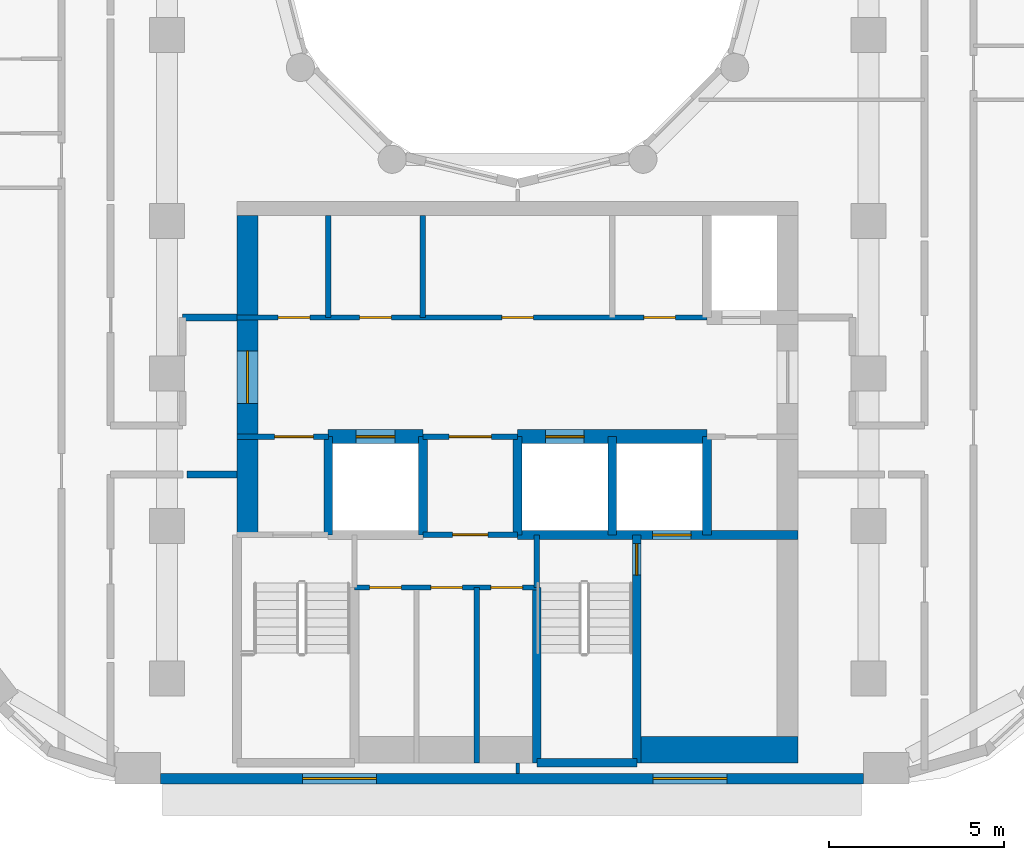
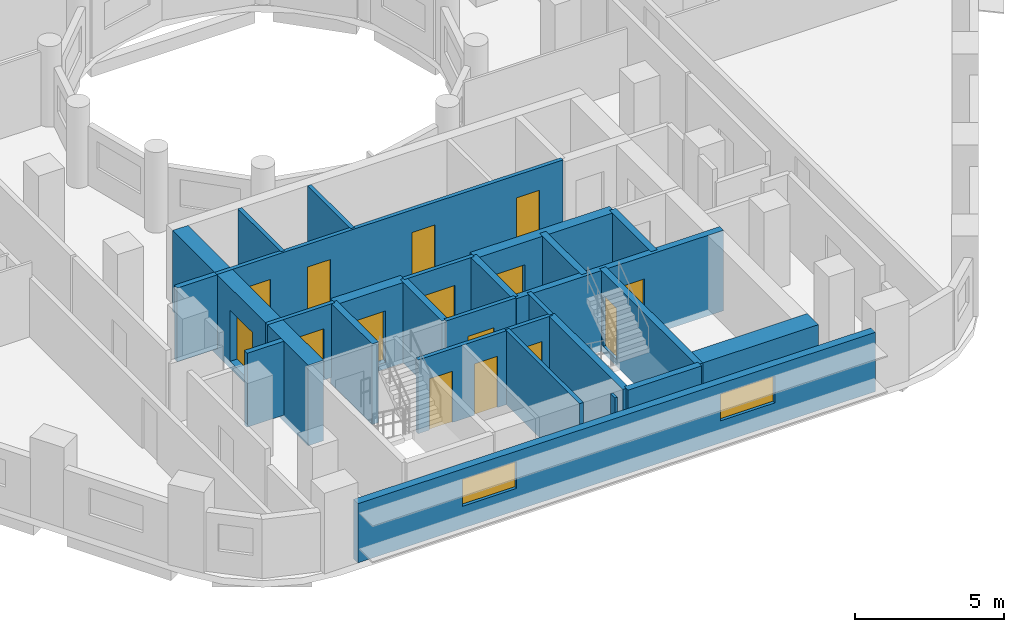
# One storey, part 3 of 13: 26 walls, 15 doors, 2 windows, 17 openings.
"""IFC4 building model written with IfcOpenShell, lengths in metres."""

from ifc_helpers import new_model, si_unit, direction, frame, frame_2d, origin, place, context, subcontext, project, spatial, rectangle, extrude, material, layer, layer_set, type_object, element, fill, save


model = new_model("IFC4")

# Units and contexts
model_context = context("Model", 3, precision=1e-05, world=origin(), true_north=direction((0.0, 1.0)))
body_context = subcontext(model_context, "Body", "Model", "MODEL_VIEW")
ifc_project = project(units=[si_unit("LENGTHUNIT", "METRE"), si_unit("AREAUNIT", "SQUARE_METRE"), si_unit("VOLUMEUNIT", "CUBIC_METRE"), si_unit("PLANEANGLEUNIT", "RADIAN"), si_unit("MASSUNIT", "GRAM", prefix="KILO")], contexts=[model_context])

# Site, building, storey
site_placement = place(None, origin())
site = spatial("IfcSite", under=ifc_project, at=site_placement, CompositionType="ELEMENT")
building_placement = place(site_placement, origin())
building = spatial("IfcBuilding", under=site, at=building_placement, Name="Nakaniwa Court", CompositionType="ELEMENT")
storey_placement = place(building_placement, frame((0.0, 0.0, 140.39990234375)))
storey = spatial("IfcBuildingStorey", under=building, at=storey_placement, Name="L36", CompositionType="ELEMENT", Elevation=140.39990234375)

# Walls
ifc_material_1 = material(Name="Acoustic double stud partition")
ifc_layer_1 = layer(ifc_material_1, 0.199951171875)
ifc_layer_set_1 = layer_set([ifc_layer_1], Name="Acoustic double stud partition")
wall_type_1 = type_object("IfcWallType", Name="Acoustic double stud partition 200", PredefinedType="PARTITIONING", material=ifc_layer_set_1)
wall_1_placement = place(storey_placement, frame((70.5771484375, 64.824951171875, 0.0), z_axis=(0.0, 0.0, 1.0), x_axis=(1.0, 0.0, 0.0)))
element("IfcWall", 1, at=wall_1_placement, inside=storey, type_object=wall_type_1, Name="Partition PW-080", PredefinedType="PARTITIONING", context=body_context, shape_type="SweptSolid", body=[
    extrude(rectangle(XDim=1.4228515625, YDim=0.199951171875, at=frame_2d((0.71142578125, 0.0))), origin(), (0.0, 0.0, 1.0), 3.025146484375),
])
wall_2_placement = place(storey_placement, frame((70.449951171875, 69.300048828125, 0.0), z_axis=(0.0, 0.0, 1.0), x_axis=(1.0, 0.0, 0.0)))
element("IfcWall", 2, at=wall_2_placement, inside=storey, type_object=wall_type_1, Name="Partition PW-084", PredefinedType="PARTITIONING", context=body_context, shape_type="SweptSolid", body=[
    extrude(rectangle(XDim=1.550048828125, YDim=0.199951171875, at=frame_2d((0.77490234375, 0.0))), origin(), (0.0, 0.0, 1.0), 3.025146484375),
])

# Wall, openings, windows
ifc_material_2 = material(Name="Charcoal ceramic cladding")
ifc_layer_2 = layer(ifc_material_2, 0.02, Name="Ceramic cladding")
ifc_material_3 = material(Name="Ventilated air cavity")
ifc_layer_3 = layer(ifc_material_3, 0.04, ventilated=True, Name="Ventilated cavity")
ifc_material_4 = material(Name="Mineral wool insulation")
ifc_layer_4 = layer(ifc_material_4, 0.1, Name="Insulation")
ifc_material_5 = material(Name="Cement bonded sheathing board")
ifc_layer_5 = layer(ifc_material_5, 0.012, Name="Sheathing")
ifc_material_6 = material(Name="Cold-formed galvanised stud frame with mineral wool infill")
ifc_layer_6 = layer(ifc_material_6, 0.1, Name="Stud frame")
ifc_material_7 = material(Name="Fire-rated gypsum plasterboard lining")
ifc_layer_7 = layer(ifc_material_7, 0.028, Name="Lining")
ifc_layer_set_2 = layer_set([ifc_layer_2, ifc_layer_3, ifc_layer_4, ifc_layer_5, ifc_layer_6, ifc_layer_7], Name="Charcoal ceramic faced external wall system")
wall_type_2 = type_object("IfcWallType", Name="Black ceramic faced external wall 300", PredefinedType="SOLIDWALL", material=ifc_layer_set_2)
wall_3_placement = place(storey_placement, frame((69.8212890625, 56.14990234375, 0.0), z_axis=(0.0, 0.0, 1.0), x_axis=(1.0, 0.0, 0.0)))
wall_3 = element("IfcWall", 3, at=wall_3_placement, inside=storey, type_object=wall_type_2, Name="L36 external wall 26", PredefinedType="SOLIDWALL", context=body_context, shape_type="SweptSolid", body=[
    extrude(rectangle(XDim=20.039794921875, YDim=0.300048828125, at=frame_2d((10.02001953125, 0.0))), origin(), (0.0, 0.0, 1.0), 2.425048828125),
])
opening_1_placement = place(wall_3_placement, frame((4.05126953125, 0.0, 0.89990234375)))
opening_1 = element("IfcOpeningElement", 4, at=opening_1_placement, cuts=wall_3, Name="Opening W7.27", PredefinedType="OPENING", context=body_context, shape_type="SweptSolid", body=[
    extrude(rectangle(XDim=2.10009765625, YDim=1.10009765625, at=frame_2d((1.050048828125, 0.550048828125))), frame((0.0, 0.159912109375, 0.0), z_axis=(0.0, -1.0, 0.0), x_axis=(1.0, 0.0, 0.0)), (0.0, 0.0, 1.0), 0.320068359375),
])
opening_2_placement = place(wall_3_placement, frame((14.047119140625, 0.0, 0.89990234375)))
opening_2 = element("IfcOpeningElement", 5, at=opening_2_placement, cuts=wall_3, Name="Opening W7.28", PredefinedType="OPENING", context=body_context, shape_type="SweptSolid", body=[
    extrude(rectangle(XDim=2.10009765625, YDim=1.10009765625, at=frame_2d((1.050048828125, 0.550048828125))), frame((0.0, 0.159912109375, 0.0), z_axis=(0.0, -1.0, 0.0), x_axis=(1.0, 0.0, 0.0)), (0.0, 0.0, 1.0), 0.320068359375),
])
ifc_material_8 = material(Name="Black anodised aluminium frame with dark low-E laminated double glazing", Category="aluminium")
window_type = type_object("IfcWindowType", Name="Dark glass window 2100x1100 sill 900", PartitioningType="SINGLE_PANEL", PredefinedType="WINDOW", material=ifc_material_8)
window_1_placement = place(opening_1_placement, origin())
window_1 = element("IfcWindow", 6, at=window_1_placement, inside=storey, type_object=window_type, Name="L36 habitable room window 26-0", OverallHeight=1.10009765625, OverallWidth=2.10009765625, PartitioningType="SINGLE_PANEL", PredefinedType="WINDOW", context=body_context, shape_type="SweptSolid", body=[
    extrude(rectangle(XDim=2.10009765625, YDim=1.10009765625, at=frame_2d((1.050048828125, 0.550048828125))), frame((0.0, 0.030029296875, 0.0), z_axis=(0.0, -1.0, 0.0), x_axis=(1.0, 0.0, 0.0)), (0.0, 0.0, 1.0), 0.06005859375),
])
fill(opening_1, window_1)
window_2_placement = place(opening_2_placement, origin())
window_2 = element("IfcWindow", 7, at=window_2_placement, inside=storey, type_object=window_type, Name="L36 habitable room window 26-1", OverallHeight=1.10009765625, OverallWidth=2.10009765625, PartitioningType="SINGLE_PANEL", PredefinedType="WINDOW", context=body_context, shape_type="SweptSolid", body=[
    extrude(rectangle(XDim=2.10009765625, YDim=1.10009765625, at=frame_2d((1.050048828125, 0.550048828125))), frame((0.0, 0.030029296875, 0.0), z_axis=(0.0, -1.0, 0.0), x_axis=(1.0, 0.0, 0.0)), (0.0, 0.0, 1.0), 0.06005859375),
])
fill(opening_2, window_2)

# Wall
ifc_material_9 = material(Name="Blockwork partition", Category="masonry")
ifc_layer_8 = layer(ifc_material_9, 0.14990234375)
ifc_layer_set_3 = layer_set([ifc_layer_8], Name="Blockwork partition")
wall_type_3 = type_object("IfcWallType", Name="Blockwork partition 150", PredefinedType="PARTITIONING", material=ifc_layer_set_3)
wall_4_placement = place(storey_placement, frame((74.60009765625, 69.300048828125, 0.0), z_axis=(0.0, 0.0, 1.0), x_axis=(0.0, 1.0, 0.0)))
element("IfcWall", 8, at=wall_4_placement, inside=storey, type_object=wall_type_3, Name="Partition PW-036", PredefinedType="PARTITIONING", context=body_context, shape_type="SweptSolid", body=[
    extrude(rectangle(XDim=2.89990234375, YDim=0.14990234375, at=frame_2d((1.449951171875, 0.0))), origin(), (0.0, 0.0, 1.0), 3.025146484375),
])

# Wall, openings, doors
wall_5_placement = place(storey_placement, frame((72.0, 69.300048828125, 0.0), z_axis=(0.0, 0.0, 1.0), x_axis=(1.0, 0.0, 0.0)))
wall_5 = element("IfcWall", 9, at=wall_5_placement, inside=storey, type_object=wall_type_3, Name="Partition PW-037", PredefinedType="PARTITIONING", context=body_context, shape_type="SweptSolid", body=[
    extrude(rectangle(XDim=13.39990234375, YDim=0.14990234375, at=frame_2d((6.699951171875, 0.0))), origin(), (0.0, 0.0, 1.0), 3.025146484375),
])
opening_3_placement = place(wall_5_placement, frame((1.175048828125, 0.0, 0.0)))
opening_3 = element("IfcOpeningElement", 10, at=opening_3_placement, cuts=wall_5, Name="Opening D-05-09", PredefinedType="OPENING", context=body_context, shape_type="SweptSolid", body=[
    extrude(rectangle(XDim=0.89990234375, YDim=2.10009765625, at=frame_2d((0.449951171875, 1.050048828125))), frame((0.0, 0.0849609375, 0.0), z_axis=(0.0, -1.0, 0.0), x_axis=(1.0, 0.0, 0.0)), (0.0, 0.0, 1.0), 0.169921875),
])
opening_4_placement = place(wall_5_placement, frame((3.5, 0.0, 0.0)))
opening_4 = element("IfcOpeningElement", 11, at=opening_4_placement, cuts=wall_5, Name="Opening D-05-10", PredefinedType="OPENING", context=body_context, shape_type="SweptSolid", body=[
    extrude(rectangle(XDim=0.89990234375, YDim=2.10009765625, at=frame_2d((0.449951171875, 1.050048828125))), frame((0.0, 0.0849609375, 0.0), z_axis=(0.0, -1.0, 0.0), x_axis=(1.0, 0.0, 0.0)), (0.0, 0.0, 1.0), 0.169921875),
])
opening_5_placement = place(wall_5_placement, frame((7.550048828125, 0.0, 0.0)))
opening_5 = element("IfcOpeningElement", 12, at=opening_5_placement, cuts=wall_5, Name="Opening D-05-11", PredefinedType="OPENING", context=body_context, shape_type="SweptSolid", body=[
    extrude(rectangle(XDim=0.89990234375, YDim=2.10009765625, at=frame_2d((0.449951171875, 1.050048828125))), frame((0.0, 0.0849609375, 0.0), z_axis=(0.0, -1.0, 0.0), x_axis=(1.0, 0.0, 0.0)), (0.0, 0.0, 1.0), 0.169921875),
])
opening_6_placement = place(wall_5_placement, frame((11.60009765625, 0.0, 0.0)))
opening_6 = element("IfcOpeningElement", 13, at=opening_6_placement, cuts=wall_5, Name="Opening D-05-12", PredefinedType="OPENING", context=body_context, shape_type="SweptSolid", body=[
    extrude(rectangle(XDim=0.89990234375, YDim=2.10009765625, at=frame_2d((0.449951171875, 1.050048828125))), frame((0.0, 0.0849609375, 0.0), z_axis=(0.0, -1.0, 0.0), x_axis=(1.0, 0.0, 0.0)), (0.0, 0.0, 1.0), 0.169921875),
])
ifc_material_10 = material(Name="Fire rated steel door set", Category="steel")
door_type_1 = type_object("IfcDoorType", Name="Service room door 900", OperationType="NOTDEFINED", PredefinedType="DOOR", material=ifc_material_10)
door_1_placement = place(opening_3_placement, origin())
door_1 = element("IfcDoor", 14, at=door_1_placement, inside=storey, type_object=door_type_1, Name="Door D-05-09 L36-014", OperationType="SINGLE_SWING_LEFT", OverallHeight=2.10009765625, OverallWidth=0.89990234375, PredefinedType="DOOR", context=body_context, shape_type="SweptSolid", body=[
    extrude(rectangle(XDim=0.89990234375, YDim=2.10009765625, at=frame_2d((0.449951171875, 1.050048828125))), frame((0.0, 0.02490234375, 0.0), z_axis=(0.0, -1.0, 0.0), x_axis=(1.0, 0.0, 0.0)), (0.0, 0.0, 1.0), 0.050048828125),
])
fill(opening_3, door_1)
door_2_placement = place(opening_4_placement, origin())
door_2 = element("IfcDoor", 15, at=door_2_placement, inside=storey, type_object=door_type_1, Name="Door D-05-10 L36-015", OperationType="SINGLE_SWING_RIGHT", OverallHeight=2.10009765625, OverallWidth=0.89990234375, PredefinedType="DOOR", context=body_context, shape_type="SweptSolid", body=[
    extrude(rectangle(XDim=0.89990234375, YDim=2.10009765625, at=frame_2d((0.449951171875, 1.050048828125))), frame((0.0, 0.02490234375, 0.0), z_axis=(0.0, -1.0, 0.0), x_axis=(1.0, 0.0, 0.0)), (0.0, 0.0, 1.0), 0.050048828125),
])
fill(opening_4, door_2)
door_3_placement = place(opening_5_placement, origin())
door_3 = element("IfcDoor", 16, at=door_3_placement, inside=storey, type_object=door_type_1, Name="Door D-05-11 L36-016", OperationType="SINGLE_SWING_LEFT", OverallHeight=2.10009765625, OverallWidth=0.89990234375, PredefinedType="DOOR", context=body_context, shape_type="SweptSolid", body=[
    extrude(rectangle(XDim=0.89990234375, YDim=2.10009765625, at=frame_2d((0.449951171875, 1.050048828125))), frame((0.0, 0.02490234375, 0.0), z_axis=(0.0, -1.0, 0.0), x_axis=(1.0, 0.0, 0.0)), (0.0, 0.0, 1.0), 0.050048828125),
])
fill(opening_5, door_3)
door_4_placement = place(opening_6_placement, origin())
door_4 = element("IfcDoor", 17, at=door_4_placement, inside=storey, type_object=door_type_1, Name="Door D-05-12 L36-017", OperationType="SINGLE_SWING_RIGHT", OverallHeight=2.10009765625, OverallWidth=0.89990234375, PredefinedType="DOOR", context=body_context, shape_type="SweptSolid", body=[
    extrude(rectangle(XDim=0.89990234375, YDim=2.10009765625, at=frame_2d((0.449951171875, 1.050048828125))), frame((0.0, 0.02490234375, 0.0), z_axis=(0.0, -1.0, 0.0), x_axis=(1.0, 0.0, 0.0)), (0.0, 0.0, 1.0), 0.050048828125),
])
fill(opening_6, door_4)

# Wall
wall_6_placement = place(storey_placement, frame((77.300048828125, 69.300048828125, 0.0), z_axis=(0.0, 0.0, 1.0), x_axis=(0.0, 1.0, 0.0)))
element("IfcWall", 18, at=wall_6_placement, inside=storey, type_object=wall_type_3, Name="Partition PW-043", PredefinedType="PARTITIONING", context=body_context, shape_type="SweptSolid", body=[
    extrude(rectangle(XDim=2.89990234375, YDim=0.14990234375, at=frame_2d((1.449951171875, 0.0))), origin(), (0.0, 0.0, 1.0), 3.025146484375),
])

# Wall, opening, door
wall_7_placement = place(storey_placement, frame((74.60302734375, 65.89990234375, 0.0), z_axis=(0.0, 0.0, 1.0), x_axis=(-1.0, 0.0, 0.0)))
wall_7 = element("IfcWall", 19, at=wall_7_placement, inside=storey, type_object=wall_type_3, Name="Partition PW-045", PredefinedType="PARTITIONING", context=body_context, shape_type="SweptSolid", body=[
    extrude(rectangle(XDim=2.60302734375, YDim=0.14990234375, at=frame_2d((1.301513671875, 0.0))), origin(), (0.0, 0.0, 1.0), 3.025146484375),
])
opening_7_placement = place(wall_7_placement, frame((0.427978515625, 0.0, 0.0)))
opening_7 = element("IfcOpeningElement", 20, at=opening_7_placement, cuts=wall_7, Name="Opening D-08-02", PredefinedType="OPENING", context=body_context, shape_type="SweptSolid", body=[
    extrude(rectangle(XDim=1.10009765625, YDim=2.10009765625, at=frame_2d((0.550048828125, 1.050048828125))), frame((0.0, 0.0849609375, 0.0), z_axis=(0.0, -1.0, 0.0), x_axis=(1.0, 0.0, 0.0)), (0.0, 0.0, 1.0), 0.169921875),
])
door_type_2 = type_object("IfcDoorType", Name="Stair lobby door 1100", OperationType="NOTDEFINED", PredefinedType="DOOR", material=ifc_material_10)
door_5_placement = place(opening_7_placement, origin())
door_5 = element("IfcDoor", 21, at=door_5_placement, inside=storey, type_object=door_type_2, Name="Door D-08-02 L36-018", OperationType="SINGLE_SWING_LEFT", OverallHeight=2.10009765625, OverallWidth=1.10009765625, PredefinedType="DOOR", context=body_context, shape_type="SweptSolid", body=[
    extrude(rectangle(XDim=1.10009765625, YDim=2.10009765625, at=frame_2d((0.550048828125, 1.050048828125))), frame((0.0, 0.02490234375, 0.0), z_axis=(0.0, -1.0, 0.0), x_axis=(1.0, 0.0, 0.0)), (0.0, 0.0, 1.0), 0.050048828125),
])
fill(opening_7, door_5)

wall_8_placement = place(storey_placement, frame((80.0029296875, 65.89990234375, 0.0), z_axis=(0.0, 0.0, 1.0), x_axis=(-1.0, 0.0, 0.0)))
wall_8 = element("IfcWall", 22, at=wall_8_placement, inside=storey, type_object=wall_type_3, Name="Partition PW-046", PredefinedType="PARTITIONING", context=body_context, shape_type="SweptSolid", body=[
    extrude(rectangle(XDim=2.705810546875, YDim=0.14990234375, at=frame_2d((1.35302734375, 0.0))), origin(), (0.0, 0.0, 1.0), 3.025146484375),
])
opening_8_placement = place(wall_8_placement, frame((0.7529296875, 0.0, 0.0)))
opening_8 = element("IfcOpeningElement", 23, at=opening_8_placement, cuts=wall_8, Name="Opening D-06-02", PredefinedType="OPENING", context=body_context, shape_type="SweptSolid", body=[
    extrude(rectangle(XDim=1.199951171875, YDim=2.10009765625, at=frame_2d((0.60009765625, 1.050048828125))), frame((0.0, 0.0849609375, 0.0), z_axis=(0.0, -1.0, 0.0), x_axis=(1.0, 0.0, 0.0)), (0.0, 0.0, 1.0), 0.169921875),
])
ifc_material_11 = material(Name="Fire rated steel double door set", Category="steel")
door_type_3 = type_object("IfcDoorType", Name="Service passage double door 1200", OperationType="NOTDEFINED", PredefinedType="DOOR", material=ifc_material_11)
door_6_placement = place(opening_8_placement, origin())
door_6 = element("IfcDoor", 24, at=door_6_placement, inside=storey, type_object=door_type_3, Name="Door D-06-02 L36-019", OperationType="DOUBLE_DOOR_SINGLE_SWING", OverallHeight=2.10009765625, OverallWidth=1.199951171875, PredefinedType="DOOR", context=body_context, shape_type="SweptSolid", body=[
    extrude(rectangle(XDim=1.199951171875, YDim=2.10009765625, at=frame_2d((0.60009765625, 1.050048828125))), frame((0.0, 0.02490234375, 0.0), z_axis=(0.0, -1.0, 0.0), x_axis=(1.0, 0.0, 0.0)), (0.0, 0.0, 1.0), 0.050048828125),
])
fill(opening_8, door_6)

wall_9_placement = place(storey_placement, frame((80.0, 63.10009765625, 0.0), z_axis=(0.0, 0.0, 1.0), x_axis=(-1.0, 0.0, 0.0)))
wall_9 = element("IfcWall", 25, at=wall_9_placement, inside=storey, type_object=wall_type_3, Name="Partition PW-056", PredefinedType="PARTITIONING", context=body_context, shape_type="SweptSolid", body=[
    extrude(rectangle(XDim=2.699951171875, YDim=0.14990234375, at=frame_2d((1.35009765625, 0.0))), origin(), (0.0, 0.0, 1.0), 3.025146484375),
])
opening_9_placement = place(wall_9_placement, frame((0.85009765625, 0.0, 0.0)))
opening_9 = element("IfcOpeningElement", 26, at=opening_9_placement, cuts=wall_9, Name="Opening D-23-02", PredefinedType="OPENING", context=body_context, shape_type="SweptSolid", body=[
    extrude(rectangle(XDim=1.0, YDim=2.10009765625, at=frame_2d((0.5, 1.050048828125))), frame((0.0, 0.0849609375, 0.0), z_axis=(0.0, -1.0, 0.0), x_axis=(1.0, 0.0, 0.0)), (0.0, 0.0, 1.0), 0.169921875),
])
door_type_4 = type_object("IfcDoorType", Name="Service room door 1000", OperationType="NOTDEFINED", PredefinedType="DOOR", material=ifc_material_10)
door_7_placement = place(opening_9_placement, origin())
door_7 = element("IfcDoor", 27, at=door_7_placement, inside=storey, type_object=door_type_4, Name="Door D-23-02 L36-021", OperationType="SINGLE_SWING_RIGHT", OverallHeight=2.10009765625, OverallWidth=1.0, PredefinedType="DOOR", context=body_context, shape_type="SweptSolid", body=[
    extrude(rectangle(XDim=1.0, YDim=2.10009765625, at=frame_2d((0.5, 1.050048828125))), frame((0.0, 0.02490234375, 0.0), z_axis=(0.0, -1.0, 0.0), x_axis=(1.0, 0.0, 0.0)), (0.0, 0.0, 1.0), 0.050048828125),
])
fill(opening_9, door_7)

# Wall, openings, doors
wall_10_placement = place(storey_placement, frame((80.550048828125, 61.60009765625, 0.0), z_axis=(0.0, 0.0, 1.0), x_axis=(-1.0, 0.0, 0.0)))
wall_10 = element("IfcWall", 28, at=wall_10_placement, inside=storey, type_object=wall_type_3, Name="Partition PW-068", PredefinedType="PARTITIONING", context=body_context, shape_type="SweptSolid", body=[
    extrude(rectangle(XDim=5.199951171875, YDim=0.14990234375, at=frame_2d((2.60009765625, 0.0))), origin(), (0.0, 0.0, 1.0), 3.025146484375),
])
opening_10_placement = place(wall_10_placement, frame((3.865966796875, 0.0, 0.0)))
opening_10 = element("IfcOpeningElement", 29, at=opening_10_placement, cuts=wall_10, Name="Opening D-05-14", PredefinedType="OPENING", context=body_context, shape_type="SweptSolid", body=[
    extrude(rectangle(XDim=0.89990234375, YDim=2.10009765625, at=frame_2d((0.449951171875, 1.050048828125))), frame((0.0, 0.0849609375, 0.0), z_axis=(0.0, -1.0, 0.0), x_axis=(1.0, 0.0, 0.0)), (0.0, 0.0, 1.0), 0.169921875),
])
opening_11_placement = place(wall_10_placement, frame((2.1240234375, 0.0, 0.0)))
opening_11 = element("IfcOpeningElement", 30, at=opening_11_placement, cuts=wall_10, Name="Opening D-05-15", PredefinedType="OPENING", context=body_context, shape_type="SweptSolid", body=[
    extrude(rectangle(XDim=0.89990234375, YDim=2.10009765625, at=frame_2d((0.449951171875, 1.050048828125))), frame((0.0, 0.0849609375, 0.0), z_axis=(0.0, -1.0, 0.0), x_axis=(1.0, 0.0, 0.0)), (0.0, 0.0, 1.0), 0.169921875),
])
opening_12_placement = place(wall_10_placement, frame((0.407958984375, 0.0, 0.0)))
opening_12 = element("IfcOpeningElement", 31, at=opening_12_placement, cuts=wall_10, Name="Opening D-05-16", PredefinedType="OPENING", context=body_context, shape_type="SweptSolid", body=[
    extrude(rectangle(XDim=0.89990234375, YDim=2.10009765625, at=frame_2d((0.449951171875, 1.050048828125))), frame((0.0, 0.0849609375, 0.0), z_axis=(0.0, -1.0, 0.0), x_axis=(1.0, 0.0, 0.0)), (0.0, 0.0, 1.0), 0.169921875),
])
door_8_placement = place(opening_10_placement, origin())
door_8 = element("IfcDoor", 32, at=door_8_placement, inside=storey, type_object=door_type_1, Name="Door D-05-14 L36-022", OperationType="SINGLE_SWING_LEFT", OverallHeight=2.10009765625, OverallWidth=0.89990234375, PredefinedType="DOOR", context=body_context, shape_type="SweptSolid", body=[
    extrude(rectangle(XDim=0.89990234375, YDim=2.10009765625, at=frame_2d((0.449951171875, 1.050048828125))), frame((0.0, 0.02490234375, 0.0), z_axis=(0.0, -1.0, 0.0), x_axis=(1.0, 0.0, 0.0)), (0.0, 0.0, 1.0), 0.050048828125),
])
fill(opening_10, door_8)
door_9_placement = place(opening_11_placement, origin())
door_9 = element("IfcDoor", 33, at=door_9_placement, inside=storey, type_object=door_type_1, Name="Door D-05-15 L36-023", OperationType="SINGLE_SWING_RIGHT", OverallHeight=2.10009765625, OverallWidth=0.89990234375, PredefinedType="DOOR", context=body_context, shape_type="SweptSolid", body=[
    extrude(rectangle(XDim=0.89990234375, YDim=2.10009765625, at=frame_2d((0.449951171875, 1.050048828125))), frame((0.0, 0.02490234375, 0.0), z_axis=(0.0, -1.0, 0.0), x_axis=(1.0, 0.0, 0.0)), (0.0, 0.0, 1.0), 0.050048828125),
])
fill(opening_11, door_9)
door_10_placement = place(opening_12_placement, origin())
door_10 = element("IfcDoor", 34, at=door_10_placement, inside=storey, type_object=door_type_1, Name="Door D-05-16 L36-024", OperationType="SINGLE_SWING_LEFT", OverallHeight=2.10009765625, OverallWidth=0.89990234375, PredefinedType="DOOR", context=body_context, shape_type="SweptSolid", body=[
    extrude(rectangle(XDim=0.89990234375, YDim=2.10009765625, at=frame_2d((0.449951171875, 1.050048828125))), frame((0.0, 0.02490234375, 0.0), z_axis=(0.0, -1.0, 0.0), x_axis=(1.0, 0.0, 0.0)), (0.0, 0.0, 1.0), 0.050048828125),
])
fill(opening_12, door_10)

# Wall
wall_11_placement = place(storey_placement, frame((78.833984375, 56.60009765625, 0.0), z_axis=(0.0, 0.0, 1.0), x_axis=(0.0, 1.0, 0.0)))
element("IfcWall", 35, at=wall_11_placement, inside=storey, type_object=wall_type_3, Name="Partition PW-070", PredefinedType="PARTITIONING", context=body_context, shape_type="SweptSolid", body=[
    extrude(rectangle(XDim=5.0, YDim=0.14990234375, at=frame_2d((2.5, 0.0))), origin(), (0.0, 0.0, 1.0), 3.025146484375),
])

# Wall, opening, door
ifc_material_12 = material(Name="Concrete C80/100", Category="concrete")
ifc_layer_9 = layer(ifc_material_12, 0.60009765625)
ifc_layer_set_4 = layer_set([ifc_layer_9], Name="Concrete C80/100")
wall_type_4 = type_object("IfcWallType", Name="Concrete core side wall 600 C80", PredefinedType="SHEAR", material=ifc_layer_set_4)
wall_12_placement = place(storey_placement, frame((72.300048828125, 63.10009765625, -0.27490234375), z_axis=(0.0, 0.0, 1.0), x_axis=(0.0, 1.0, 0.0)))
wall_12 = element("IfcWall", 36, at=wall_12_placement, inside=storey, type_object=wall_type_4, Name="Core wall SW-38", PredefinedType="SHEAR", context=body_context, shape_type="SweptSolid", body=[
    extrude(rectangle(XDim=9.099853515625, YDim=0.60009765625, at=frame_2d((4.5498046875, 0.0))), origin(), (0.0, 0.0, 1.0), 3.300048828125),
])
opening_13_placement = place(wall_12_placement, frame((3.748046875, 0.0, 0.27490234375)))
opening_13 = element("IfcOpeningElement", 37, at=opening_13_placement, cuts=wall_12, Name="Opening D-07-04", PredefinedType="OPENING", context=body_context, shape_type="SweptSolid", body=[
    extrude(rectangle(XDim=1.5, YDim=2.10009765625, at=frame_2d((0.75, 1.050048828125))), frame((0.0, 0.31005859375, 0.0), z_axis=(0.0, -1.0, 0.0), x_axis=(1.0, 0.0, 0.0)), (0.0, 0.0, 1.0), 0.6201171875),
])
ifc_material_13 = material(Name="Glazed fire rated steel double door set", Category="steel")
door_type_5 = type_object("IfcDoorType", Name="Lobby double door 1500", OperationType="NOTDEFINED", PredefinedType="DOOR", material=ifc_material_13)
door_11_placement = place(opening_13_placement, origin())
door_11 = element("IfcDoor", 38, at=door_11_placement, inside=storey, type_object=door_type_5, Name="Door D-07-04 L36-057", OperationType="DOUBLE_DOOR_SINGLE_SWING", OverallHeight=2.10009765625, OverallWidth=1.5, PredefinedType="DOOR", context=body_context, shape_type="SweptSolid", body=[
    extrude(rectangle(XDim=1.5, YDim=2.10009765625, at=frame_2d((0.75, 1.050048828125))), frame((0.0, 0.02490234375, 0.0), z_axis=(0.0, -1.0, 0.0), x_axis=(1.0, 0.0, 0.0)), (0.0, 0.0, 1.0), 0.050048828125),
])
fill(opening_13, door_11)

ifc_layer_10 = layer(ifc_material_12, 0.39990234375)
ifc_layer_set_5 = layer_set([ifc_layer_10], Name="Concrete C80/100")
wall_type_5 = type_object("IfcWallType", Name="Concrete core spine wall 400 C80", PredefinedType="SHEAR", material=ifc_layer_set_5)
wall_13_placement = place(storey_placement, frame((74.596923828125, 65.89990234375, -0.27490234375), z_axis=(0.0, 0.0, 1.0), x_axis=(1.0, 0.0, 0.0)))
wall_13 = element("IfcWall", 39, at=wall_13_placement, inside=storey, type_object=wall_type_5, Name="Core wall SW-48", PredefinedType="SHEAR", context=body_context, shape_type="SweptSolid", body=[
    extrude(rectangle(XDim=2.7060546875, YDim=0.39990234375, at=frame_2d((1.35302734375, 0.0))), origin(), (0.0, 0.0, 1.0), 3.300048828125),
])
opening_14_placement = place(wall_13_placement, frame((0.802978515625, 0.0, 0.27490234375)))
opening_14 = element("IfcOpeningElement", 40, at=opening_14_placement, cuts=wall_13, Name="Opening LD06", PredefinedType="OPENING", context=body_context, shape_type="SweptSolid", body=[
    extrude(rectangle(XDim=1.10009765625, YDim=2.10009765625, at=frame_2d((0.550048828125, 1.050048828125))), frame((0.0, 0.2099609375, 0.0), z_axis=(0.0, -1.0, 0.0), x_axis=(1.0, 0.0, 0.0)), (0.0, 0.0, 1.0), 0.419921875),
])
ifc_material_14 = material(Name="Stainless steel sliding lift landing door", Category="steel")
door_type_6 = type_object("IfcDoorType", Name="Lift landing door 1100", OperationType="NOTDEFINED", PredefinedType="DOOR", material=ifc_material_14)
door_12_placement = place(opening_14_placement, origin())
door_12 = element("IfcDoor", 41, at=door_12_placement, inside=storey, type_object=door_type_6, Name="Lift landing door LD06 L36-006", OperationType="SLIDING_TO_LEFT", OverallHeight=2.10009765625, OverallWidth=1.10009765625, PredefinedType="DOOR", context=body_context, shape_type="SweptSolid", body=[
    extrude(rectangle(XDim=1.10009765625, YDim=2.10009765625, at=frame_2d((0.550048828125, 1.050048828125))), frame((0.0, 0.02490234375, 0.0), z_axis=(0.0, -1.0, 0.0), x_axis=(1.0, 0.0, 0.0)), (0.0, 0.0, 1.0), 0.050048828125),
])
fill(opening_14, door_12)

wall_14_placement = place(storey_placement, frame((79.9970703125, 65.89990234375, -0.27490234375), z_axis=(0.0, 0.0, 1.0), x_axis=(1.0, 0.0, 0.0)))
wall_14 = element("IfcWall", 42, at=wall_14_placement, inside=storey, type_object=wall_type_5, Name="Core wall SW-49", PredefinedType="SHEAR", context=body_context, shape_type="SweptSolid", body=[
    extrude(rectangle(XDim=5.406005859375, YDim=0.39990234375, at=frame_2d((2.703125, 0.0))), origin(), (0.0, 0.0, 1.0), 3.300048828125),
])
opening_15_placement = place(wall_14_placement, frame((0.802978515625, 0.0, 0.27490234375)))
opening_15 = element("IfcOpeningElement", 43, at=opening_15_placement, cuts=wall_14, Name="Opening LD07", PredefinedType="OPENING", context=body_context, shape_type="SweptSolid", body=[
    extrude(rectangle(XDim=1.10009765625, YDim=2.10009765625, at=frame_2d((0.550048828125, 1.050048828125))), frame((0.0, 0.2099609375, 0.0), z_axis=(0.0, -1.0, 0.0), x_axis=(1.0, 0.0, 0.0)), (0.0, 0.0, 1.0), 0.419921875),
])
door_13_placement = place(opening_15_placement, origin())
door_13 = element("IfcDoor", 44, at=door_13_placement, inside=storey, type_object=door_type_6, Name="Lift landing door LD07 L36-007", OperationType="SLIDING_TO_LEFT", OverallHeight=2.10009765625, OverallWidth=1.10009765625, PredefinedType="DOOR", context=body_context, shape_type="SweptSolid", body=[
    extrude(rectangle(XDim=1.10009765625, YDim=2.10009765625, at=frame_2d((0.550048828125, 1.050048828125))), frame((0.0, 0.02490234375, 0.0), z_axis=(0.0, -1.0, 0.0), x_axis=(1.0, 0.0, 0.0)), (0.0, 0.0, 1.0), 0.050048828125),
])
fill(opening_15, door_13)

# Walls
ifc_layer_11 = layer(ifc_material_12, 0.14990234375)
ifc_layer_set_6 = layer_set([ifc_layer_11], Name="Concrete C80/100")
wall_type_6 = type_object("IfcWallType", Name="Concrete core wall 150 C80", PredefinedType="SHEAR", material=ifc_layer_set_6)
wall_15_placement = place(storey_placement, frame((80.550048828125, 61.596923828125, -0.27490234375), z_axis=(0.0, 0.0, 1.0), x_axis=(0.0, 1.0, 0.0)))
element("IfcWall", 45, at=wall_15_placement, inside=storey, type_object=wall_type_6, Name="Core wall SW-64", PredefinedType="SHEAR", context=body_context, shape_type="SweptSolid", body=[
    extrude(rectangle(XDim=1.503173828125, YDim=0.14990234375, at=frame_2d((0.75146484375, 0.0))), origin(), (0.0, 0.0, 1.0), 3.300048828125),
])
ifc_layer_12 = layer(ifc_material_12, 0.25)
ifc_layer_set_7 = layer_set([ifc_layer_12], Name="Concrete C80/100")
wall_type_7 = type_object("IfcWallType", Name="Concrete core wall 250 C80", PredefinedType="SHEAR", material=ifc_layer_set_7)
wall_16_placement = place(storey_placement, frame((80.550048828125, 56.60009765625, -0.27490234375), z_axis=(0.0, 0.0, 1.0), x_axis=(1.0, 0.0, 0.0)))
element("IfcWall", 46, at=wall_16_placement, inside=storey, type_object=wall_type_7, Name="Core wall SW-62", PredefinedType="SHEAR", context=body_context, shape_type="SweptSolid", body=[
    extrude(rectangle(XDim=2.849853515625, YDim=0.25, at=frame_2d((1.4248046875, 0.0))), origin(), (0.0, 0.0, 1.0), 3.300048828125),
])
ifc_layer_13 = layer(ifc_material_12, 0.75)
ifc_layer_set_8 = layer_set([ifc_layer_13], Name="Concrete C80/100")
wall_type_8 = type_object("IfcWallType", Name="Concrete core wall 750 C80", PredefinedType="SHEAR", material=ifc_layer_set_8)
wall_17_placement = place(storey_placement, frame((83.39990234375, 56.97509765625, -0.27490234375), z_axis=(0.0, 0.0, 1.0), x_axis=(1.0, 0.0, 0.0)))
element("IfcWall", 47, at=wall_17_placement, inside=storey, type_object=wall_type_8, Name="Core wall SW-67", PredefinedType="SHEAR", context=body_context, shape_type="SweptSolid", body=[
    extrude(rectangle(XDim=4.60009765625, YDim=0.75, at=frame_2d((2.300048828125, 0.0))), origin(), (0.0, 0.0, 1.0), 3.300048828125),
])
ifc_layer_14 = layer(ifc_material_12, 0.25)
ifc_layer_set_9 = layer_set([ifc_layer_14], Name="Concrete C80/100")
wall_type_9 = type_object("IfcWallType", Name="Concrete shaft wall 250 C80", PredefinedType="SHEAR", material=ifc_layer_set_9)
for number, where, z_axis, x_axis, name in (
    (48, (85.39990234375, 63.10009765625, -0.27490234375), (0.0, 0.0, 1.0), (0.0, 1.0, 0.0), "Core wall SW-39"),
    (49, (74.60009765625, 63.10009765625, -0.27490234375), (0.0, 0.0, 1.0), (0.0, 1.0, 0.0), "Core wall SW-50"),
    (50, (77.300048828125, 63.10009765625, -0.27490234375), (0.0, 0.0, 1.0), (0.0, 1.0, 0.0), "Core wall SW-52"),
):
    element("IfcWall", number, at=place(storey_placement, frame(where, z_axis=z_axis, x_axis=x_axis)), inside=storey, type_object=wall_type_9, Name=name, PredefinedType="SHEAR", context=body_context, shape_type="SweptSolid", body=[
        extrude(rectangle(XDim=2.7998046875, YDim=0.25, at=frame_2d((1.39990234375, 0.0))), origin(), (0.0, 0.0, 1.0), 3.300048828125),
    ])

# Wall, opening, door
wall_18_placement = place(storey_placement, frame((80.0, 63.10009765625, -0.27490234375), z_axis=(0.0, 0.0, 1.0), x_axis=(1.0, 0.0, 0.0)))
wall_18 = element("IfcWall", 51, at=wall_18_placement, inside=storey, type_object=wall_type_9, Name="Core wall SW-54", PredefinedType="SHEAR", context=body_context, shape_type="SweptSolid", body=[
    extrude(rectangle(XDim=8.0, YDim=0.25, at=frame_2d((4.0, 0.0))), origin(), (0.0, 0.0, 1.0), 3.300048828125),
])
opening_16_placement = place(wall_18_placement, frame((3.84912109375, 0.0, 0.27490234375)))
opening_16 = element("IfcOpeningElement", 52, at=opening_16_placement, cuts=wall_18, Name="Opening LD08", PredefinedType="OPENING", context=body_context, shape_type="SweptSolid", body=[
    extrude(rectangle(XDim=1.10009765625, YDim=2.10009765625, at=frame_2d((0.550048828125, 1.050048828125))), frame((0.0, 0.135009765625, 0.0), z_axis=(0.0, -1.0, 0.0), x_axis=(1.0, 0.0, 0.0)), (0.0, 0.0, 1.0), 0.27001953125),
])
door_14_placement = place(opening_16_placement, origin())
door_14 = element("IfcDoor", 53, at=door_14_placement, inside=storey, type_object=door_type_6, Name="Lift landing door LD08 L36-008", OperationType="SLIDING_TO_LEFT", OverallHeight=2.10009765625, OverallWidth=1.10009765625, PredefinedType="DOOR", context=body_context, shape_type="SweptSolid", body=[
    extrude(rectangle(XDim=1.10009765625, YDim=2.10009765625, at=frame_2d((0.550048828125, 1.050048828125))), frame((0.0, 0.02490234375, 0.0), z_axis=(0.0, -1.0, 0.0), x_axis=(1.0, 0.0, 0.0)), (0.0, 0.0, 1.0), 0.050048828125),
])
fill(opening_16, door_14)

# Walls
for number, where, z_axis, x_axis, name in (
    (54, (80.0, 63.10009765625, -0.27490234375), (0.0, 0.0, 1.0), (0.0, 1.0, 0.0), "Core wall SW-55"),
    (55, (82.699951171875, 63.10009765625, -0.27490234375), (0.0, 0.0, 1.0), (0.0, 1.0, 0.0), "Core wall SW-57"),
):
    element("IfcWall", number, at=place(storey_placement, frame(where, z_axis=z_axis, x_axis=x_axis)), inside=storey, type_object=wall_type_9, Name=name, PredefinedType="SHEAR", context=body_context, shape_type="SweptSolid", body=[
        extrude(rectangle(XDim=2.7998046875, YDim=0.25, at=frame_2d((1.39990234375, 0.0))), origin(), (0.0, 0.0, 1.0), 3.300048828125),
    ])

# Wall, opening, door
wall_19_placement = place(storey_placement, frame((83.39990234375, 63.10009765625, -0.27490234375), z_axis=(0.0, 0.0, 1.0), x_axis=(0.0, -1.0, 0.0)))
wall_19 = element("IfcWall", 56, at=wall_19_placement, inside=storey, type_object=wall_type_9, Name="Core wall SW-63", PredefinedType="SHEAR", context=body_context, shape_type="SweptSolid", body=[
    extrude(rectangle(XDim=6.5, YDim=0.25, at=frame_2d((3.25, 0.0))), origin(), (0.0, 0.0, 1.0), 3.300048828125),
])
opening_17_placement = place(wall_19_placement, frame((0.25, 0.0, 0.27490234375)))
opening_17 = element("IfcOpeningElement", 57, at=opening_17_placement, cuts=wall_19, Name="Opening D-11-02", PredefinedType="OPENING", context=body_context, shape_type="SweptSolid", body=[
    extrude(rectangle(XDim=0.89990234375, YDim=2.10009765625, at=frame_2d((0.449951171875, 1.050048828125))), frame((0.0, 0.135009765625, 0.0), z_axis=(0.0, -1.0, 0.0), x_axis=(1.0, 0.0, 0.0)), (0.0, 0.0, 1.0), 0.27001953125),
])
door_type_7 = type_object("IfcDoorType", Name="Stair door 900", OperationType="NOTDEFINED", PredefinedType="DOOR", material=ifc_material_10)
door_15_placement = place(opening_17_placement, origin())
door_15 = element("IfcDoor", 58, at=door_15_placement, inside=storey, type_object=door_type_7, Name="Door D-11-02 L36-026", OperationType="SINGLE_SWING_RIGHT", OverallHeight=2.10009765625, OverallWidth=0.89990234375, PredefinedType="DOOR", context=body_context, shape_type="SweptSolid", body=[
    extrude(rectangle(XDim=0.89990234375, YDim=2.10009765625, at=frame_2d((0.449951171875, 1.050048828125))), frame((0.0, 0.02490234375, 0.0), z_axis=(0.0, -1.0, 0.0), x_axis=(1.0, 0.0, 0.0)), (0.0, 0.0, 1.0), 0.050048828125),
])
fill(opening_17, door_15)

# Walls
wall_20_placement = place(storey_placement, frame((80.550048828125, 56.60009765625, -0.27490234375), z_axis=(0.0, 0.0, 1.0), x_axis=(0.0, 1.0, 0.0)))
element("IfcWall", 59, at=wall_20_placement, inside=storey, type_object=wall_type_9, Name="Core wall SW-65", PredefinedType="SHEAR", context=body_context, shape_type="SweptSolid", body=[
    extrude(rectangle(XDim=5.0029296875, YDim=0.25, at=frame_2d((2.50146484375, 0.0))), origin(), (0.0, 0.0, 1.0), 3.300048828125),
])
ifc_material_15 = material(Name="Single stud plasterboard partition")
ifc_layer_15 = layer(ifc_material_15, 0.10009765625)
ifc_layer_set_10 = layer_set([ifc_layer_15], Name="Single stud plasterboard partition")
wall_type_10 = type_object("IfcWallType", Name="Single stud plasterboard partition 100", PredefinedType="PARTITIONING", material=ifc_layer_set_10)
wall_21_placement = place(storey_placement, frame((80.0, 56.300048828125, 0.0), z_axis=(0.0, 0.0, 1.0), x_axis=(0.0, 1.0, 0.0)))
element("IfcWall", 60, at=wall_21_placement, inside=storey, type_object=wall_type_10, Name="Partition PW-113", PredefinedType="PARTITIONING", context=body_context, shape_type="SweptSolid", body=[
    extrude(rectangle(XDim=0.300048828125, YDim=0.10009765625, at=frame_2d((0.14990234375, 0.0))), origin(), (0.0, 0.0, 1.0), 3.025146484375),
])

save(model, "model.ifc")
